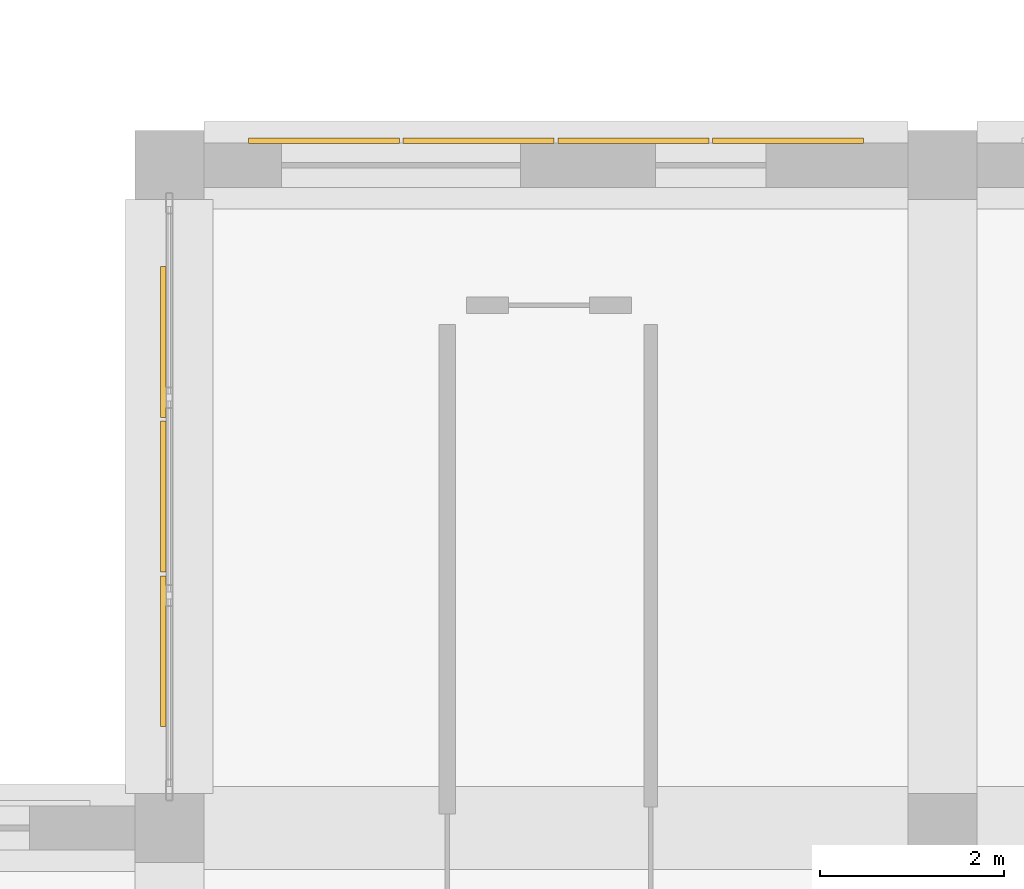
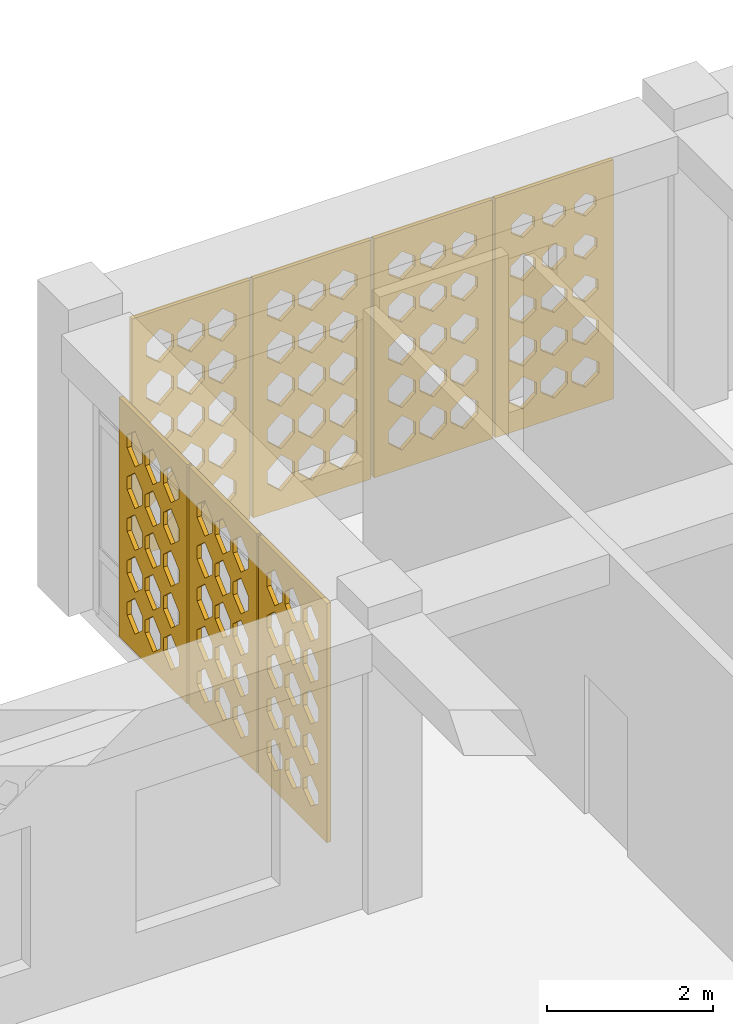
# One storey, part 105 of 121: 7 coverings.
"""IFC4 building model written with IfcOpenShell, lengths in metres."""

import ifcopenshell
import ifcopenshell.guid

model = None  # the IFC model being written
_history = None  # IfcOwnerHistory: only IFC2X3 demands one
_inside = {}  # id of a spatial element -> (the spatial element, [elements in it])
_under = {}  # id of a project, library or spatial element -> (it, [spatial elements below it])
_declared = {}  # id of a project -> (the project, [libraries it declares])
_typed = {}  # id of a type object -> (the type object, [elements of that type])
_made_of = {}  # id of a material, layer set ... -> (it, [elements and type objects made of it])


def new_model(schema):
    """Start an empty IFC model of exactly this schema.

    Asked for "IFC4X3", IfcOpenShell would pick the latest addendum, in which some entities
    have other attributes; the version numbers below select the first issue.
    IFC2X3 requires an IfcOwnerHistory on every rooted entity: one is made here for all.
    """
    global model, _history
    if schema == "IFC4X3":
        model = ifcopenshell.file(schema_version=(4, 3, 0, 0))
    else:
        model = ifcopenshell.file(schema=schema)
    _inside.clear()
    _under.clear()
    _declared.clear()
    _typed.clear()
    _made_of.clear()
    _history = None
    if model.schema == "IFC2X3":
        org = make("IfcOrganization", Name="unknown")
        user = make(
            "IfcPersonAndOrganization",
            ThePerson=make("IfcPerson", FamilyName="unknown"),
            TheOrganization=org,
        )
        app = make(
            "IfcApplication",
            ApplicationDeveloper=org,
            Version="unknown",
            ApplicationFullName="unknown",
            ApplicationIdentifier="unknown",
        )
        _history = make(
            "IfcOwnerHistory",
            OwningUser=user,
            OwningApplication=app,
            ChangeAction="ADDED",
            CreationDate=0,
        )
    return model


def make(cls, **values):
    """One entity of the class cls with the attributes given. An attribute that is None is left unset."""
    return model.create_entity(
        cls, **{name: value for name, value in values.items() if value is not None}
    )


def rooted(cls, **values):
    """An entity with a GlobalId (a new one), such as an element, a storey or a relation."""
    return make(cls, GlobalId=ifcopenshell.guid.new(), OwnerHistory=_history, **values)


def si_unit(unit_type, name, prefix=None):
    """IfcSIUnit, for example si_unit("LENGTHUNIT", "METRE", prefix="MILLI")."""
    return make("IfcSIUnit", UnitType=unit_type, Prefix=prefix, Name=name)


def derived_unit(unit_type, elements):
    """IfcDerivedUnit: a product of units, each with its exponent."""
    return make(
        "IfcDerivedUnit",
        Elements=[
            make("IfcDerivedUnitElement", Unit=unit, Exponent=power)
            for unit, power in elements
        ],
        UnitType=unit_type,
    )


def assignment(units):
    """IfcUnitAssignment: the units of a project."""
    return None if units is None else make("IfcUnitAssignment", Units=units)


def point(xyz):
    """IfcCartesianPoint."""
    return None if xyz is None else make("IfcCartesianPoint", Coordinates=xyz)


def direction(xyz):
    """IfcDirection."""
    return None if xyz is None else make("IfcDirection", DirectionRatios=xyz)


def frame(location, z_axis=None, x_axis=None):
    """IfcAxis2Placement3D, a coordinate frame: its origin and axes. An axis left out is left unset."""
    return make(
        "IfcAxis2Placement3D",
        Location=point(location),
        Axis=direction(z_axis),
        RefDirection=direction(x_axis),
    )


def origin():
    """The frame at (0, 0, 0) with its axes left unset."""
    return frame((0.0, 0.0, 0.0))


def place(relative_to, where):
    """IfcLocalPlacement: puts the frame where relative to a parent placement (None: the world)."""
    return make(
        "IfcLocalPlacement", PlacementRelTo=relative_to, RelativePlacement=where
    )


def context(
    kind, dimensions, precision=None, world=None, true_north=None, identifier=None
):
    """IfcGeometricRepresentationContext, for example the 3D "Model" context."""
    return make(
        "IfcGeometricRepresentationContext",
        ContextIdentifier=identifier,
        ContextType=kind,
        CoordinateSpaceDimension=dimensions,
        Precision=precision,
        WorldCoordinateSystem=world,
        TrueNorth=true_north,
    )


def subcontext(parent, identifier, kind, view, scale=None):
    """IfcGeometricRepresentationSubContext, for example "Body" below "Model"."""
    return make(
        "IfcGeometricRepresentationSubContext",
        ContextIdentifier=identifier,
        ContextType=kind,
        ParentContext=parent,
        TargetScale=scale,
        TargetView=view,
    )


def project(units=None, contexts=None):
    """IfcProject with its units and contexts."""
    return rooted(
        "IfcProject",
        Name="project",
        RepresentationContexts=contexts,
        UnitsInContext=assignment(units),
    )


def spatial(cls, under=None, at=None, **own):
    """A site, building, storey or space (cls), placed at a placement, below another one or the project."""
    s = rooted(cls, ObjectPlacement=at, **own)
    if under is not None:
        _under.setdefault(under.id(), (under, []))[1].append(s)
    return s


def polyline(points):
    """IfcPolyline through the points."""
    return make("IfcPolyline", Points=[point(p) for p in points])


def outline(outer, holes=None, kind="AREA"):
    """IfcArbitraryClosedProfileDef: a profile drawn as a closed curve; with holes, ...WithVoids."""
    if holes is None:
        return make("IfcArbitraryClosedProfileDef", ProfileType=kind, OuterCurve=outer)
    return make(
        "IfcArbitraryProfileDefWithVoids",
        ProfileType=kind,
        OuterCurve=outer,
        InnerCurves=holes,
    )


def extrude(swept, where, along, depth):
    """IfcExtrudedAreaSolid: the profile swept, set in the frame where, extruded along a direction by depth."""
    return make(
        "IfcExtrudedAreaSolid",
        SweptArea=swept,
        Position=where,
        ExtrudedDirection=direction(along),
        Depth=depth,
    )


def shape(context_of_items, identifier, shape_type, items):
    """IfcShapeRepresentation: the items that make up one representation, for example the "Body"."""
    return make(
        "IfcShapeRepresentation",
        ContextOfItems=context_of_items,
        RepresentationIdentifier=identifier,
        RepresentationType=shape_type,
        Items=items,
    )


def material(Name=None, Category=None):
    """IfcMaterial."""
    return make("IfcMaterial", Name=Name, Category=Category)


def layer(
    of_material, thickness, ventilated=None, Name=None, Category=None, Priority=None
):
    """IfcMaterialLayer: one layer of a wall or slab, of a material (None: an air gap)."""
    return make(
        "IfcMaterialLayer",
        Material=of_material,
        LayerThickness=thickness,
        IsVentilated=ventilated,
        Name=Name,
        Category=Category,
        Priority=Priority,
    )


def layer_set(layers, Name=None):
    """IfcMaterialLayerSet."""
    return make("IfcMaterialLayerSet", MaterialLayers=layers, LayerSetName=Name)


def made_of(thing, what):
    """Note that an element or type object is made of a material, layer set ...; save() writes the relation."""
    if what is not None:
        _made_of.setdefault(what.id(), (what, []))[1].append(thing)
    return thing


def type_object(cls, material=None, **own):
    """A type object (cls), such as IfcWallType, which elements share."""
    return made_of(rooted(cls, **own), material)


def element(
    cls,
    number,
    at=None,
    inside=None,
    cuts=None,
    type_object=None,
    material=None,
    context=None,
    identifier="Body",
    shape_type=None,
    held_by="IfcProductDefinitionShape",
    body=None,
    shapes=None,
    **own,
):
    """One element of the class cls, such as IfcWall. Its Tag is "e" and its number.

    at: its placement. inside: the storey or other place that contains it. cuts: it is an
    opening in that element (IfcRelVoidsElement). A single representation is given by context,
    identifier, shape_type and body (its items); several are given by shapes. held_by: the class
    of the entity that holds the representations. save() writes the other relations.
    """
    e = rooted(cls, Tag="e%d" % number, ObjectPlacement=at, **own)
    if body is not None:
        shapes = [shape(context, identifier, shape_type, body)]
    if shapes is not None:
        e.Representation = make(held_by, Representations=shapes)
    if inside is not None:
        _inside.setdefault(inside.id(), (inside, []))[1].append(e)
    if cuts is not None:
        rooted(
            "IfcRelVoidsElement", RelatingBuildingElement=cuts, RelatedOpeningElement=e
        )
    if type_object is not None:
        _typed.setdefault(type_object.id(), (type_object, []))[1].append(e)
    return made_of(e, material)


def aggregate(whole, parts):
    """IfcRelAggregates: a whole, such as a stair, and the parts it consists of."""
    return rooted("IfcRelAggregates", RelatingObject=whole, RelatedObjects=parts)


def save(model, path):
    """Write the relations noted so far, then the file.

    IfcRelAggregates (storeys below a building ...), IfcRelContainedInSpatialStructure (elements
    in a storey), IfcRelDefinesByType, IfcRelAssociatesMaterial and IfcRelDeclares: one each for
    every whole, place, type object, material and project.
    """
    for whole, parts in _under.values():
        aggregate(whole, parts)
    for where, things in _inside.values():
        rooted(
            "IfcRelContainedInSpatialStructure",
            RelatedElements=things,
            RelatingStructure=where,
        )
    for kind, things in _typed.values():
        rooted("IfcRelDefinesByType", RelatedObjects=things, RelatingType=kind)
    for what, things in _made_of.values():
        rooted("IfcRelAssociatesMaterial", RelatedObjects=things, RelatingMaterial=what)
    for by, libraries in _declared.values():
        rooted("IfcRelDeclares", RelatingContext=by, RelatedDefinitions=libraries)
    model.write(path)


model = new_model("IFC4")

# Units and contexts
model_context = context("Model", 3, precision=1e-05, world=origin(), true_north=direction((0.0, 1.0)))
body_context = subcontext(model_context, "Body", "Model", "MODEL_VIEW")
ifc_project = project(units=[si_unit("LENGTHUNIT", "METRE"), si_unit("AREAUNIT", "SQUARE_METRE"), si_unit("VOLUMEUNIT", "CUBIC_METRE"), si_unit("PLANEANGLEUNIT", "RADIAN"), si_unit("MASSUNIT", "GRAM", prefix="KILO"), derived_unit("THERMALTRANSMITTANCEUNIT", [(si_unit("POWERUNIT", "WATT"), 1), (si_unit("LENGTHUNIT", "METRE"), -2), (si_unit("THERMODYNAMICTEMPERATUREUNIT", "KELVIN"), -1)])], contexts=[model_context])

# Site, building, storey
site_placement = place(None, origin())
site = spatial("IfcSite", under=ifc_project, at=site_placement, CompositionType="ELEMENT")
building_placement = place(site_placement, origin())
building = spatial("IfcBuilding", under=site, at=building_placement, Name="Veybourne Emporium", CompositionType="ELEMENT")
storey_placement = place(building_placement, frame((0.0, 0.0, 5.39990234375)))
storey = spatial("IfcBuildingStorey", under=building, at=storey_placement, Name="L01", CompositionType="ELEMENT", Elevation=5.39990234375)

# Coverings
ifc_material = material(Name="Warm-White Perforated Aluminium Screen Alloy", Category="aluminium")
ifc_layer_1 = layer(ifc_material, 0.06005859375)
ifc_layer_set_1 = layer_set([ifc_layer_1], Name="Warm-White Perforated Aluminium Screen Alloy")
covering_type_1 = type_object("IfcCoveringType", Name="WaveScreen_SCR-01", PredefinedType="CLADDING", material=ifc_layer_set_1)
covering_1_placement = place(storey_placement, frame((20.159912109375, 86.697998046875, 1.815185546875), z_axis=(0.0, -1.0, 0.0), x_axis=(1.0, 0.0, 0.0)))
element("IfcCovering", 1, at=covering_1_placement, inside=storey, type_object=covering_type_1, Name="L01 wave-perforated aluminium screen SCR-01 (17.2)", PredefinedType="CLADDING", context=body_context, shape_type="SweptSolid", body=[
    extrude(outline(polyline([(-0.81982421875, -1.7548828125), (0.81982421875, -1.7548828125), (0.81982421875, 1.7548828125), (-0.81982421875, 1.7548828125), (-0.81982421875, -1.7548828125)]), holes=[polyline([(-0.433349609375, -0.964111328125), (-0.2470703125, -1.133056640625), (-0.2470703125, -1.322998046875), (-0.433349609375, -1.491943359375), (-0.61962890625, -1.322998046875), (-0.61962890625, -1.133056640625), (-0.433349609375, -0.964111328125)]), polyline([(-0.433349609375, -0.352294921875), (-0.2470703125, -0.519775390625), (-0.2470703125, -0.708251953125), (-0.433349609375, -0.87548828125), (-0.61962890625, -0.708251953125), (-0.61962890625, -0.519775390625), (-0.433349609375, -0.352294921875)]), polyline([(-0.433349609375, 0.252685546875), (-0.2470703125, 0.091064453125), (-0.2470703125, -0.091064453125), (-0.433349609375, -0.252685546875), (-0.61962890625, -0.091064453125), (-0.61962890625, 0.091064453125), (-0.433349609375, 0.252685546875)]), polyline([(-0.433349609375, 0.856201171875), (-0.2470703125, 0.701171875), (-0.2470703125, 0.52685546875), (-0.433349609375, 0.37158203125), (-0.61962890625, 0.52685546875), (-0.61962890625, 0.701171875), (-0.433349609375, 0.856201171875)]), polyline([(-0.433349609375, 1.458251953125), (-0.2470703125, 1.310791015625), (-0.2470703125, 1.14501953125), (-0.433349609375, 0.997802734375), (-0.61962890625, 1.14501953125), (-0.61962890625, 1.310791015625), (-0.433349609375, 1.458251953125)]), polyline([(0.0, -0.964111328125), (0.186279296875, -1.133056640625), (0.186279296875, -1.322998046875), (0.0, -1.491943359375), (-0.186279296875, -1.322998046875), (-0.186279296875, -1.133056640625), (0.0, -0.964111328125)]), polyline([(0.0, -0.356201171875), (0.186279296875, -0.521240234375), (0.186279296875, -0.706787109375), (0.0, -0.871826171875), (-0.186279296875, -0.706787109375), (-0.186279296875, -0.521240234375), (0.0, -0.356201171875)]), polyline([(0.0, 0.248291015625), (0.186279296875, 0.08935546875), (0.186279296875, -0.08935546875), (0.0, -0.248291015625), (-0.186279296875, -0.08935546875), (-0.186279296875, 0.08935546875), (0.0, 0.248291015625)]), polyline([(0.0, 0.85107421875), (0.186279296875, 0.69921875), (0.186279296875, 0.52880859375), (0.0, 0.376953125), (-0.186279296875, 0.52880859375), (-0.186279296875, 0.69921875), (0.0, 0.85107421875)]), polyline([(0.0, 1.452392578125), (0.186279296875, 1.308837890625), (0.186279296875, 1.147216796875), (0.0, 1.00341796875), (-0.186279296875, 1.147216796875), (-0.186279296875, 1.308837890625), (0.0, 1.452392578125)]), polyline([(0.433349609375, -0.9658203125), (0.61962890625, -1.133544921875), (0.61962890625, -1.322509765625), (0.433349609375, -1.490234375), (0.2470703125, -1.322509765625), (0.2470703125, -1.133544921875), (0.433349609375, -0.9658203125)]), polyline([(0.433349609375, -0.3603515625), (0.61962890625, -0.522705078125), (0.61962890625, -0.705322265625), (0.433349609375, -0.86767578125), (0.2470703125, -0.705322265625), (0.2470703125, -0.522705078125), (0.433349609375, -0.3603515625)]), polyline([(0.433349609375, 0.243408203125), (0.61962890625, 0.087646484375), (0.61962890625, -0.087646484375), (0.433349609375, -0.243408203125), (0.2470703125, -0.087646484375), (0.2470703125, 0.087646484375), (0.433349609375, 0.243408203125)]), polyline([(0.433349609375, 0.845458984375), (0.61962890625, 0.697265625), (0.61962890625, 0.53076171875), (0.433349609375, 0.382568359375), (0.2470703125, 0.53076171875), (0.2470703125, 0.697265625), (0.433349609375, 0.845458984375)]), polyline([(0.433349609375, 1.446533203125), (0.61962890625, 1.306640625), (0.61962890625, 1.1494140625), (0.433349609375, 1.009521484375), (0.2470703125, 1.1494140625), (0.2470703125, 1.306640625), (0.433349609375, 1.446533203125)])]), origin(), (0.0, 0.0, 1.0), 0.06005859375),
])
covering_2_placement = place(storey_placement, frame((16.70458984375, 81.1201171875, 1.815185546875), z_axis=(1.0, 0.0, 0.0), x_axis=(0.0, 1.0, 0.0)))
element("IfcCovering", 2, at=covering_2_placement, inside=storey, type_object=covering_type_1, Name="L01 wave-perforated aluminium screen SCR-01 (18C.1)", PredefinedType="CLADDING", context=body_context, shape_type="SweptSolid", body=[
    extrude(outline(polyline([(-0.81982421875, -1.7548828125), (0.81982421875, -1.7548828125), (0.81982421875, 1.7548828125), (-0.81982421875, 1.7548828125), (-0.81982421875, -1.7548828125)]), holes=[polyline([(-0.433349609375, -1.006103515625), (-0.2470703125, -1.148193359375), (-0.2470703125, -1.307861328125), (-0.433349609375, -1.44970703125), (-0.61962890625, -1.307861328125), (-0.61962890625, -1.148193359375), (-0.433349609375, -1.006103515625)]), polyline([(-0.433349609375, -0.37939453125), (-0.2470703125, -0.529541015625), (-0.2470703125, -0.698486328125), (-0.433349609375, -0.848388671875), (-0.61962890625, -0.698486328125), (-0.61962890625, -0.529541015625), (-0.433349609375, -0.37939453125)]), polyline([(-0.433349609375, 0.24609375), (-0.2470703125, 0.088623046875), (-0.2470703125, -0.088623046875), (-0.433349609375, -0.24609375), (-0.61962890625, -0.088623046875), (-0.61962890625, 0.088623046875), (-0.433349609375, 0.24609375)]), polyline([(-0.433349609375, 0.8701171875), (-0.2470703125, 0.706298828125), (-0.2470703125, 0.521728515625), (-0.433349609375, 0.35791015625), (-0.61962890625, 0.521728515625), (-0.61962890625, 0.706298828125), (-0.433349609375, 0.8701171875)]), polyline([(-0.433349609375, 1.491943359375), (-0.2470703125, 1.322998046875), (-0.2470703125, 1.133056640625), (-0.433349609375, 0.964111328125), (-0.61962890625, 1.133056640625), (-0.61962890625, 1.322998046875), (-0.433349609375, 1.491943359375)]), polyline([(0.0, -1.000244140625), (0.186279296875, -1.14599609375), (0.186279296875, -1.31005859375), (0.0, -1.455810546875), (-0.186279296875, -1.31005859375), (-0.186279296875, -1.14599609375), (0.0, -1.000244140625)]), polyline([(0.0, -0.3740234375), (0.186279296875, -0.527587890625), (0.186279296875, -0.700439453125), (0.0, -0.85400390625), (-0.186279296875, -0.700439453125), (-0.186279296875, -0.527587890625), (0.0, -0.3740234375)]), polyline([(0.0, 0.250732421875), (0.186279296875, 0.09033203125), (0.186279296875, -0.09033203125), (0.0, -0.250732421875), (-0.186279296875, -0.09033203125), (-0.186279296875, 0.09033203125), (0.0, 0.250732421875)]), polyline([(0.0, 0.873779296875), (0.186279296875, 0.70751953125), (0.186279296875, 0.5205078125), (0.0, 0.35400390625), (-0.186279296875, 0.5205078125), (-0.186279296875, 0.70751953125), (0.0, 0.873779296875)]), polyline([(0.0, 1.491943359375), (0.186279296875, 1.322998046875), (0.186279296875, 1.133056640625), (0.0, 0.964111328125), (-0.186279296875, 1.133056640625), (-0.186279296875, 1.322998046875), (0.0, 1.491943359375)]), polyline([(0.433349609375, -0.99462890625), (0.61962890625, -1.14404296875), (0.61962890625, -1.31201171875), (0.433349609375, -1.46142578125), (0.2470703125, -1.31201171875), (0.2470703125, -1.14404296875), (0.433349609375, -0.99462890625)]), polyline([(0.433349609375, -0.368896484375), (0.61962890625, -0.52587890625), (0.61962890625, -0.7021484375), (0.433349609375, -0.85888671875), (0.2470703125, -0.7021484375), (0.2470703125, -0.52587890625), (0.433349609375, -0.368896484375)]), polyline([(0.433349609375, 0.255126953125), (0.61962890625, 0.091796875), (0.61962890625, -0.091796875), (0.433349609375, -0.255126953125), (0.2470703125, -0.091796875), (0.2470703125, 0.091796875), (0.433349609375, 0.255126953125)]), polyline([(0.433349609375, 0.87744140625), (0.61962890625, 0.708740234375), (0.61962890625, 0.519287109375), (0.433349609375, 0.3505859375), (0.2470703125, 0.519287109375), (0.2470703125, 0.708740234375), (0.433349609375, 0.87744140625)]), polyline([(0.433349609375, 1.491943359375), (0.61962890625, 1.322998046875), (0.61962890625, 1.133056640625), (0.433349609375, 0.964111328125), (0.2470703125, 1.133056640625), (0.2470703125, 1.322998046875), (0.433349609375, 1.491943359375)])]), origin(), (0.0, 0.0, 1.0), 0.06005859375),
])
ifc_layer_2 = layer(ifc_material, 0.06005859375)
ifc_layer_set_2 = layer_set([ifc_layer_2], Name="Warm-White Perforated Aluminium Screen Alloy")
covering_type_2 = type_object("IfcCoveringType", Name="WaveScreen_SCR-02", PredefinedType="CLADDING", material=ifc_layer_set_2)
covering_3_placement = place(storey_placement, frame((21.840087890625, 86.697998046875, 1.815185546875), z_axis=(0.0, -1.0, 0.0), x_axis=(1.0, 0.0, 0.0)))
element("IfcCovering", 3, at=covering_3_placement, inside=storey, type_object=covering_type_2, Name="L01 wave-perforated aluminium screen SCR-02 (17.3)", PredefinedType="CLADDING", context=body_context, shape_type="SweptSolid", body=[
    extrude(outline(polyline([(-0.81982421875, -1.7548828125), (0.81982421875, -1.7548828125), (0.81982421875, 1.7548828125), (-0.81982421875, 1.7548828125), (-0.81982421875, -1.7548828125)]), holes=[polyline([(-0.433349609375, -0.972900390625), (-0.2470703125, -1.13623046875), (-0.2470703125, -1.31982421875), (-0.433349609375, -1.483154296875), (-0.61962890625, -1.31982421875), (-0.61962890625, -1.13623046875), (-0.433349609375, -0.972900390625)]), polyline([(-0.433349609375, -0.368896484375), (-0.2470703125, -0.52587890625), (-0.2470703125, -0.7021484375), (-0.433349609375, -0.85888671875), (-0.61962890625, -0.7021484375), (-0.61962890625, -0.52587890625), (-0.433349609375, -0.368896484375)]), polyline([(-0.433349609375, 0.2333984375), (-0.2470703125, 0.083984375), (-0.2470703125, -0.083984375), (-0.433349609375, -0.2333984375), (-0.61962890625, -0.083984375), (-0.61962890625, 0.083984375), (-0.433349609375, 0.2333984375)]), polyline([(-0.433349609375, 0.83447265625), (-0.2470703125, 0.693359375), (-0.2470703125, 0.53466796875), (-0.433349609375, 0.3935546875), (-0.61962890625, 0.53466796875), (-0.61962890625, 0.693359375), (-0.433349609375, 0.83447265625)]), polyline([(-0.433349609375, 1.434814453125), (-0.254150390625, 1.302490234375), (-0.254150390625, 1.153564453125), (-0.433349609375, 1.021240234375), (-0.612548828125, 1.153564453125), (-0.612548828125, 1.302490234375), (-0.433349609375, 1.434814453125)]), polyline([(0.0, -0.977294921875), (0.186279296875, -1.1376953125), (0.186279296875, -1.318359375), (0.0, -1.478759765625), (-0.186279296875, -1.318359375), (-0.186279296875, -1.1376953125), (0.0, -0.977294921875)]), polyline([(0.0, -0.3740234375), (0.186279296875, -0.527587890625), (0.186279296875, -0.7001953125), (0.0, -0.85400390625), (-0.186279296875, -0.7001953125), (-0.186279296875, -0.527587890625), (0.0, -0.3740234375)]), polyline([(0.0, 0.2275390625), (0.186279296875, 0.081787109375), (0.186279296875, -0.081787109375), (0.0, -0.2275390625), (-0.186279296875, -0.081787109375), (-0.186279296875, 0.081787109375), (0.0, 0.2275390625)]), polyline([(0.0, 0.828369140625), (0.185302734375, 0.691162109375), (0.185302734375, 0.536865234375), (0.0, 0.399658203125), (-0.185302734375, 0.536865234375), (-0.185302734375, 0.691162109375), (0.0, 0.828369140625)]), polyline([(0.0, 1.428466796875), (0.173828125, 1.300048828125), (0.173828125, 1.156005859375), (0.0, 1.027587890625), (-0.173828125, 1.156005859375), (-0.173828125, 1.300048828125), (0.0, 1.428466796875)]), polyline([(0.433349609375, -0.98193359375), (0.61962890625, -1.139404296875), (0.61962890625, -1.316650390625), (0.433349609375, -1.47412109375), (0.2470703125, -1.316650390625), (0.2470703125, -1.139404296875), (0.433349609375, -0.98193359375)]), polyline([(0.433349609375, -0.37939453125), (0.61962890625, -0.529541015625), (0.61962890625, -0.698486328125), (0.433349609375, -0.848388671875), (0.2470703125, -0.698486328125), (0.2470703125, -0.529541015625), (0.433349609375, -0.37939453125)]), polyline([(0.433349609375, 0.2216796875), (0.61962890625, 0.079833984375), (0.61962890625, -0.079833984375), (0.433349609375, -0.2216796875), (0.2470703125, -0.079833984375), (0.2470703125, 0.079833984375), (0.433349609375, 0.2216796875)]), polyline([(0.433349609375, 0.822021484375), (0.613525390625, 0.68896484375), (0.613525390625, 0.5390625), (0.433349609375, 0.406005859375), (0.253173828125, 0.5390625), (0.253173828125, 0.68896484375), (0.433349609375, 0.822021484375)]), polyline([(0.433349609375, 1.422119140625), (0.60205078125, 1.2978515625), (0.60205078125, 1.158203125), (0.433349609375, 1.033935546875), (0.2646484375, 1.158203125), (0.2646484375, 1.2978515625), (0.433349609375, 1.422119140625)])]), origin(), (0.0, 0.0, 1.0), 0.06005859375),
])
covering_4_placement = place(storey_placement, frame((16.70458984375, 82.800048828125, 1.815185546875), z_axis=(1.0, 0.0, 0.0), x_axis=(0.0, 1.0, 0.0)))
element("IfcCovering", 4, at=covering_4_placement, inside=storey, type_object=covering_type_2, Name="L01 wave-perforated aluminium screen SCR-02 (18C.2)", PredefinedType="CLADDING", context=body_context, shape_type="SweptSolid", body=[
    extrude(outline(polyline([(-0.81982421875, -1.7548828125), (0.81982421875, -1.7548828125), (0.81982421875, 1.7548828125), (-0.81982421875, 1.7548828125), (-0.81982421875, -1.7548828125)]), holes=[polyline([(-0.433349609375, -0.984619140625), (-0.2470703125, -1.140380859375), (-0.2470703125, -1.315673828125), (-0.433349609375, -1.471435546875), (-0.61962890625, -1.315673828125), (-0.61962890625, -1.140380859375), (-0.433349609375, -0.984619140625)]), polyline([(-0.433349609375, -0.360107421875), (-0.2470703125, -0.522705078125), (-0.2470703125, -0.705322265625), (-0.433349609375, -0.867919921875), (-0.61962890625, -0.705322265625), (-0.61962890625, -0.522705078125), (-0.433349609375, -0.360107421875)]), polyline([(-0.433349609375, 0.26220703125), (-0.2470703125, 0.094482421875), (-0.2470703125, -0.094482421875), (-0.433349609375, -0.26220703125), (-0.61962890625, -0.094482421875), (-0.61962890625, 0.094482421875), (-0.433349609375, 0.26220703125)]), polyline([(-0.433349609375, 0.8779296875), (-0.2470703125, 0.708984375), (-0.2470703125, 0.51904296875), (-0.433349609375, 0.35009765625), (-0.61962890625, 0.51904296875), (-0.61962890625, 0.708984375), (-0.433349609375, 0.8779296875)]), polyline([(-0.433349609375, 1.491943359375), (-0.2470703125, 1.322998046875), (-0.2470703125, 1.133056640625), (-0.433349609375, 0.964111328125), (-0.61962890625, 1.133056640625), (-0.61962890625, 1.322998046875), (-0.433349609375, 1.491943359375)]), polyline([(0.0, -0.979736328125), (0.186279296875, -1.138671875), (0.186279296875, -1.3173828125), (0.0, -1.476318359375), (-0.186279296875, -1.3173828125), (-0.186279296875, -1.138671875), (0.0, -0.979736328125)]), polyline([(0.0, -0.356201171875), (0.186279296875, -0.521240234375), (0.186279296875, -0.706787109375), (0.0, -0.871826171875), (-0.186279296875, -0.706787109375), (-0.186279296875, -0.521240234375), (0.0, -0.356201171875)]), polyline([(0.0, 0.263916015625), (0.186279296875, 0.094970703125), (0.186279296875, -0.094970703125), (0.0, -0.263916015625), (-0.186279296875, -0.094970703125), (-0.186279296875, 0.094970703125), (0.0, 0.263916015625)]), polyline([(0.0, 0.8779296875), (0.186279296875, 0.708984375), (0.186279296875, 0.51904296875), (0.0, 0.35009765625), (-0.186279296875, 0.51904296875), (-0.186279296875, 0.708984375), (0.0, 0.8779296875)]), polyline([(0.0, 1.491943359375), (0.186279296875, 1.322998046875), (0.186279296875, 1.133056640625), (0.0, 0.964111328125), (-0.186279296875, 1.133056640625), (-0.186279296875, 1.322998046875), (0.0, 1.491943359375)]), polyline([(0.433349609375, -0.97509765625), (0.61962890625, -1.136962890625), (0.61962890625, -1.319091796875), (0.433349609375, -1.48095703125), (0.2470703125, -1.319091796875), (0.2470703125, -1.136962890625), (0.433349609375, -0.97509765625)]), polyline([(0.433349609375, -0.352294921875), (0.61962890625, -0.519775390625), (0.61962890625, -0.708251953125), (0.433349609375, -0.87548828125), (0.2470703125, -0.708251953125), (0.2470703125, -0.519775390625), (0.433349609375, -0.352294921875)]), polyline([(0.433349609375, 0.263916015625), (0.61962890625, 0.094970703125), (0.61962890625, -0.094970703125), (0.433349609375, -0.263916015625), (0.2470703125, -0.094970703125), (0.2470703125, 0.094970703125), (0.433349609375, 0.263916015625)]), polyline([(0.433349609375, 0.8779296875), (0.61962890625, 0.708984375), (0.61962890625, 0.51904296875), (0.433349609375, 0.35009765625), (0.2470703125, 0.51904296875), (0.2470703125, 0.708984375), (0.433349609375, 0.8779296875)]), polyline([(0.433349609375, 1.491943359375), (0.61962890625, 1.322998046875), (0.61962890625, 1.133056640625), (0.433349609375, 0.964111328125), (0.2470703125, 1.133056640625), (0.2470703125, 1.322998046875), (0.433349609375, 1.491943359375)])]), origin(), (0.0, 0.0, 1.0), 0.06005859375),
])
ifc_layer_3 = layer(ifc_material, 0.06005859375)
ifc_layer_set_3 = layer_set([ifc_layer_3], Name="Warm-White Perforated Aluminium Screen Alloy")
covering_type_3 = type_object("IfcCoveringType", Name="WaveScreen_SCR-03", PredefinedType="CLADDING", material=ifc_layer_set_3)
covering_5_placement = place(storey_placement, frame((23.52001953125, 86.697998046875, 1.815185546875), z_axis=(0.0, -1.0, 0.0), x_axis=(1.0, 0.0, 0.0)))
element("IfcCovering", 5, at=covering_5_placement, inside=storey, type_object=covering_type_3, Name="L01 wave-perforated aluminium screen SCR-03 (17.4)", PredefinedType="CLADDING", context=body_context, shape_type="SweptSolid", body=[
    extrude(outline(polyline([(-0.81982421875, -1.7548828125), (0.81982421875, -1.7548828125), (0.81982421875, 1.7548828125), (-0.81982421875, 1.7548828125), (-0.81982421875, -1.7548828125)]), holes=[polyline([(-0.433349609375, -0.99169921875), (-0.2470703125, -1.14306640625), (-0.2470703125, -1.31298828125), (-0.433349609375, -1.464111328125), (-0.61962890625, -1.31298828125), (-0.61962890625, -1.14306640625), (-0.433349609375, -0.99169921875)]), polyline([(-0.433349609375, -0.390380859375), (-0.2470703125, -0.533447265625), (-0.2470703125, -0.694580078125), (-0.433349609375, -0.837646484375), (-0.61962890625, -0.694580078125), (-0.61962890625, -0.533447265625), (-0.433349609375, -0.390380859375)]), polyline([(-0.433349609375, 0.210205078125), (-0.25146484375, 0.07568359375), (-0.25146484375, -0.07568359375), (-0.433349609375, -0.210205078125), (-0.615234375, -0.07568359375), (-0.615234375, 0.07568359375), (-0.433349609375, 0.210205078125)]), polyline([(-0.433349609375, 0.81005859375), (-0.262939453125, 0.6845703125), (-0.262939453125, 0.54345703125), (-0.433349609375, 0.41796875), (-0.603759765625, 0.54345703125), (-0.603759765625, 0.6845703125), (-0.433349609375, 0.81005859375)]), polyline([(-0.433349609375, 1.409912109375), (-0.2744140625, 1.29345703125), (-0.2744140625, 1.16259765625), (-0.433349609375, 1.046142578125), (-0.59228515625, 1.16259765625), (-0.59228515625, 1.29345703125), (-0.433349609375, 1.409912109375)]), polyline([(0.0, -0.997314453125), (0.186279296875, -1.14501953125), (0.186279296875, -1.31103515625), (0.0, -1.458740234375), (-0.186279296875, -1.31103515625), (-0.186279296875, -1.14501953125), (0.0, -0.997314453125)]), polyline([(0.0, -0.396484375), (0.186279296875, -0.53564453125), (0.186279296875, -0.6923828125), (0.0, -0.83154296875), (-0.186279296875, -0.6923828125), (-0.186279296875, -0.53564453125), (0.0, -0.396484375)]), polyline([(0.0, 0.203857421875), (0.1767578125, 0.073486328125), (0.1767578125, -0.073486328125), (0.0, -0.203857421875), (-0.1767578125, -0.073486328125), (-0.1767578125, 0.073486328125), (0.0, 0.203857421875)]), polyline([(0.0, 0.8037109375), (0.165283203125, 0.682373046875), (0.165283203125, 0.545654296875), (0.0, 0.42431640625), (-0.165283203125, 0.545654296875), (-0.165283203125, 0.682373046875), (0.0, 0.8037109375)]), polyline([(0.0, 1.403564453125), (0.153564453125, 1.291259765625), (0.153564453125, 1.164794921875), (0.0, 1.052490234375), (-0.153564453125, 1.164794921875), (-0.153564453125, 1.291259765625), (0.0, 1.403564453125)]), polyline([(0.433349609375, -1.003173828125), (0.61962890625, -1.147216796875), (0.61962890625, -1.308837890625), (0.433349609375, -1.452880859375), (0.2470703125, -1.308837890625), (0.2470703125, -1.147216796875), (0.433349609375, -1.003173828125)]), polyline([(0.433349609375, -0.402587890625), (0.6162109375, -0.537841796875), (0.6162109375, -0.690185546875), (0.433349609375, -0.825439453125), (0.25048828125, -0.690185546875), (0.25048828125, -0.537841796875), (0.433349609375, -0.402587890625)]), polyline([(0.433349609375, 0.197509765625), (0.604736328125, 0.071044921875), (0.604736328125, -0.071044921875), (0.433349609375, -0.197509765625), (0.26171875, -0.071044921875), (0.26171875, 0.071044921875), (0.433349609375, 0.197509765625)]), polyline([(0.433349609375, 0.797119140625), (0.59326171875, 0.679931640625), (0.59326171875, 0.548095703125), (0.433349609375, 0.430908203125), (0.2734375, 0.548095703125), (0.2734375, 0.679931640625), (0.433349609375, 0.797119140625)]), polyline([(0.433349609375, 1.397216796875), (0.581787109375, 1.2890625), (0.581787109375, 1.1669921875), (0.433349609375, 1.05859375), (0.284912109375, 1.1669921875), (0.284912109375, 1.2890625), (0.433349609375, 1.397216796875)])]), origin(), (0.0, 0.0, 1.0), 0.06005859375),
])
covering_6_placement = place(storey_placement, frame((16.70458984375, 84.47998046875, 1.815185546875), z_axis=(1.0, 0.0, 0.0), x_axis=(0.0, 1.0, 0.0)))
element("IfcCovering", 6, at=covering_6_placement, inside=storey, type_object=covering_type_3, Name="L01 wave-perforated aluminium screen SCR-03 (18C.3)", PredefinedType="CLADDING", context=body_context, shape_type="SweptSolid", body=[
    extrude(outline(polyline([(-0.81982421875, -1.7548828125), (0.81982421875, -1.7548828125), (0.81982421875, 1.7548828125), (-0.81982421875, 1.7548828125), (-0.81982421875, -1.7548828125)]), holes=[polyline([(-0.433349609375, -0.967529296875), (-0.2470703125, -1.13427734375), (-0.2470703125, -1.32177734375), (-0.433349609375, -1.48828125), (-0.61962890625, -1.32177734375), (-0.61962890625, -1.13427734375), (-0.433349609375, -0.967529296875)]), polyline([(-0.433349609375, -0.35009765625), (-0.2470703125, -0.51904296875), (-0.2470703125, -0.708984375), (-0.433349609375, -0.8779296875), (-0.61962890625, -0.708984375), (-0.61962890625, -0.51904296875), (-0.433349609375, -0.35009765625)]), polyline([(-0.433349609375, 0.263916015625), (-0.2470703125, 0.094970703125), (-0.2470703125, -0.094970703125), (-0.433349609375, -0.263916015625), (-0.61962890625, -0.094970703125), (-0.61962890625, 0.094970703125), (-0.433349609375, 0.263916015625)]), polyline([(-0.433349609375, 0.8779296875), (-0.2470703125, 0.708984375), (-0.2470703125, 0.51904296875), (-0.433349609375, 0.35009765625), (-0.61962890625, 0.51904296875), (-0.61962890625, 0.708984375), (-0.433349609375, 0.8779296875)]), polyline([(-0.433349609375, 1.491943359375), (-0.2470703125, 1.322998046875), (-0.2470703125, 1.133056640625), (-0.433349609375, 0.964111328125), (-0.61962890625, 1.133056640625), (-0.61962890625, 1.322998046875), (-0.433349609375, 1.491943359375)]), polyline([(0.0, -0.964111328125), (0.186279296875, -1.133056640625), (0.186279296875, -1.322998046875), (0.0, -1.491943359375), (-0.186279296875, -1.322998046875), (-0.186279296875, -1.133056640625), (0.0, -0.964111328125)]), polyline([(0.0, -0.35009765625), (0.186279296875, -0.51904296875), (0.186279296875, -0.708984375), (0.0, -0.8779296875), (-0.186279296875, -0.708984375), (-0.186279296875, -0.51904296875), (0.0, -0.35009765625)]), polyline([(0.0, 0.263916015625), (0.186279296875, 0.094970703125), (0.186279296875, -0.094970703125), (0.0, -0.263916015625), (-0.186279296875, -0.094970703125), (-0.186279296875, 0.094970703125), (0.0, 0.263916015625)]), polyline([(0.0, 0.8779296875), (0.186279296875, 0.708984375), (0.186279296875, 0.51904296875), (0.0, 0.35009765625), (-0.186279296875, 0.51904296875), (-0.186279296875, 0.708984375), (0.0, 0.8779296875)]), polyline([(0.0, 1.491943359375), (0.186279296875, 1.322998046875), (0.186279296875, 1.133056640625), (0.0, 0.964111328125), (-0.186279296875, 1.133056640625), (-0.186279296875, 1.322998046875), (0.0, 1.491943359375)]), polyline([(0.433349609375, -0.964111328125), (0.61962890625, -1.133056640625), (0.61962890625, -1.322998046875), (0.433349609375, -1.491943359375), (0.2470703125, -1.322998046875), (0.2470703125, -1.133056640625), (0.433349609375, -0.964111328125)]), polyline([(0.433349609375, -0.35009765625), (0.61962890625, -0.51904296875), (0.61962890625, -0.708984375), (0.433349609375, -0.8779296875), (0.2470703125, -0.708984375), (0.2470703125, -0.51904296875), (0.433349609375, -0.35009765625)]), polyline([(0.433349609375, 0.263916015625), (0.61962890625, 0.094970703125), (0.61962890625, -0.094970703125), (0.433349609375, -0.263916015625), (0.2470703125, -0.094970703125), (0.2470703125, 0.094970703125), (0.433349609375, 0.263916015625)]), polyline([(0.433349609375, 0.8779296875), (0.61962890625, 0.708984375), (0.61962890625, 0.51904296875), (0.433349609375, 0.35009765625), (0.2470703125, 0.51904296875), (0.2470703125, 0.708984375), (0.433349609375, 0.8779296875)]), polyline([(0.433349609375, 1.491943359375), (0.61962890625, 1.322998046875), (0.61962890625, 1.133056640625), (0.433349609375, 0.964111328125), (0.2470703125, 1.133056640625), (0.2470703125, 1.322998046875), (0.433349609375, 1.491943359375)])]), origin(), (0.0, 0.0, 1.0), 0.06005859375),
])
ifc_layer_4 = layer(ifc_material, 0.06005859375)
ifc_layer_set_4 = layer_set([ifc_layer_4], Name="Warm-White Perforated Aluminium Screen Alloy")
covering_type_4 = type_object("IfcCoveringType", Name="WaveScreen_SCR-04", PredefinedType="CLADDING", material=ifc_layer_set_4)
covering_7_placement = place(storey_placement, frame((18.47998046875, 86.697998046875, 1.815185546875), z_axis=(0.0, -1.0, 0.0), x_axis=(1.0, 0.0, 0.0)))
element("IfcCovering", 7, at=covering_7_placement, inside=storey, type_object=covering_type_4, Name="L01 wave-perforated aluminium screen SCR-04 (17.1)", PredefinedType="CLADDING", context=body_context, shape_type="SweptSolid", body=[
    extrude(outline(polyline([(-0.81982421875, -1.7548828125), (0.81982421875, -1.7548828125), (0.81982421875, 1.7548828125), (-0.81982421875, 1.7548828125), (-0.81982421875, -1.7548828125)]), holes=[polyline([(-0.433349609375, -0.964111328125), (-0.2470703125, -1.133056640625), (-0.2470703125, -1.322998046875), (-0.433349609375, -1.491943359375), (-0.61962890625, -1.322998046875), (-0.61962890625, -1.133056640625), (-0.433349609375, -0.964111328125)]), polyline([(-0.433349609375, -0.35009765625), (-0.2470703125, -0.51904296875), (-0.2470703125, -0.708984375), (-0.433349609375, -0.8779296875), (-0.61962890625, -0.708984375), (-0.61962890625, -0.51904296875), (-0.433349609375, -0.35009765625)]), polyline([(-0.433349609375, 0.263916015625), (-0.2470703125, 0.094970703125), (-0.2470703125, -0.094970703125), (-0.433349609375, -0.263916015625), (-0.61962890625, -0.094970703125), (-0.61962890625, 0.094970703125), (-0.433349609375, 0.263916015625)]), polyline([(-0.433349609375, 0.87353515625), (-0.2470703125, 0.70751953125), (-0.2470703125, 0.5205078125), (-0.433349609375, 0.3544921875), (-0.61962890625, 0.5205078125), (-0.61962890625, 0.70751953125), (-0.433349609375, 0.87353515625)]), polyline([(-0.433349609375, 1.478515625), (-0.2470703125, 1.318115234375), (-0.2470703125, 1.1376953125), (-0.433349609375, 0.9775390625), (-0.61962890625, 1.1376953125), (-0.61962890625, 1.318115234375), (-0.433349609375, 1.478515625)]), polyline([(0.0, -0.964111328125), (0.186279296875, -1.133056640625), (0.186279296875, -1.322998046875), (0.0, -1.491943359375), (-0.186279296875, -1.322998046875), (-0.186279296875, -1.133056640625), (0.0, -0.964111328125)]), polyline([(0.0, -0.35009765625), (0.186279296875, -0.51904296875), (0.186279296875, -0.708984375), (0.0, -0.8779296875), (-0.186279296875, -0.708984375), (-0.186279296875, -0.51904296875), (0.0, -0.35009765625)]), polyline([(0.0, 0.263916015625), (0.186279296875, 0.094970703125), (0.186279296875, -0.094970703125), (0.0, -0.263916015625), (-0.186279296875, -0.094970703125), (-0.186279296875, 0.094970703125), (0.0, 0.263916015625)]), polyline([(0.0, 0.86962890625), (0.186279296875, 0.7060546875), (0.186279296875, 0.52197265625), (0.0, 0.3583984375), (-0.186279296875, 0.52197265625), (-0.186279296875, 0.7060546875), (0.0, 0.86962890625)]), polyline([(0.0, 1.4736328125), (0.186279296875, 1.31640625), (0.186279296875, 1.1396484375), (0.0, 0.982421875), (-0.186279296875, 1.1396484375), (-0.186279296875, 1.31640625), (0.0, 1.4736328125)]), polyline([(0.433349609375, -0.964111328125), (0.61962890625, -1.133056640625), (0.61962890625, -1.322998046875), (0.433349609375, -1.491943359375), (0.2470703125, -1.322998046875), (0.2470703125, -1.133056640625), (0.433349609375, -0.964111328125)]), polyline([(0.433349609375, -0.35009765625), (0.61962890625, -0.51904296875), (0.61962890625, -0.708984375), (0.433349609375, -0.8779296875), (0.2470703125, -0.708984375), (0.2470703125, -0.51904296875), (0.433349609375, -0.35009765625)]), polyline([(0.433349609375, 0.260498046875), (0.61962890625, 0.09375), (0.61962890625, -0.09375), (0.433349609375, -0.260498046875), (0.2470703125, -0.09375), (0.2470703125, 0.09375), (0.433349609375, 0.260498046875)]), polyline([(0.433349609375, 0.865478515625), (0.61962890625, 0.70458984375), (0.61962890625, 0.5234375), (0.433349609375, 0.362548828125), (0.2470703125, 0.5234375), (0.2470703125, 0.70458984375), (0.433349609375, 0.865478515625)]), polyline([(0.433349609375, 1.468505859375), (0.61962890625, 1.314697265625), (0.61962890625, 1.141357421875), (0.433349609375, 0.9873046875), (0.2470703125, 1.141357421875), (0.2470703125, 1.314697265625), (0.433349609375, 1.468505859375)])]), origin(), (0.0, 0.0, 1.0), 0.06005859375),
])

save(model, "model.ifc")
